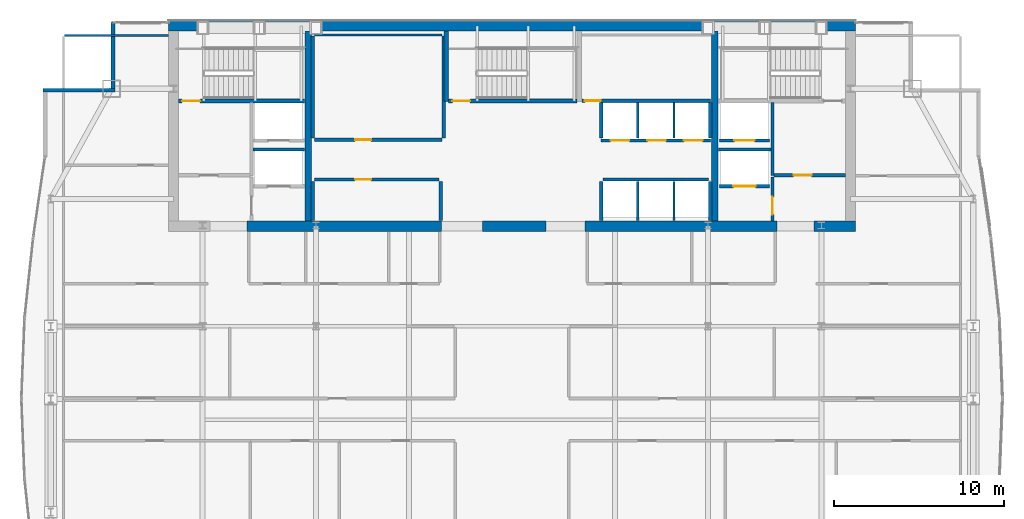
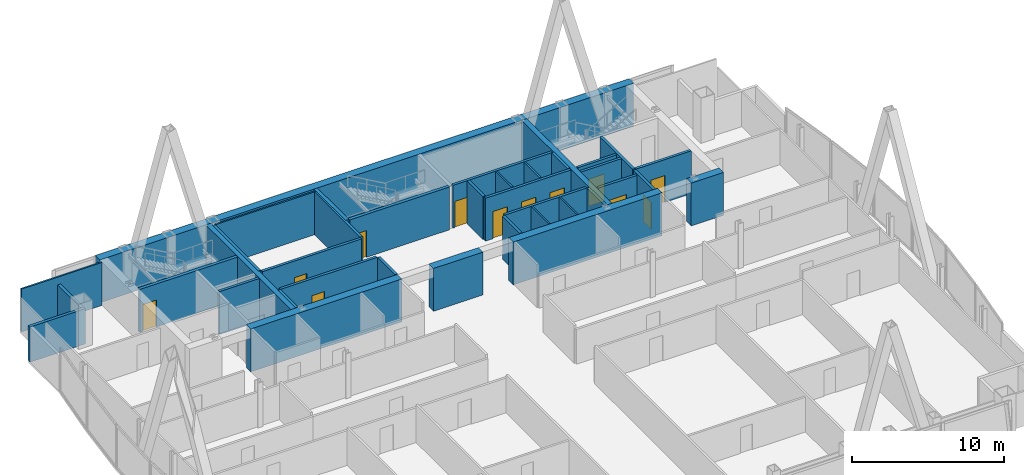
# One storey, part 28 of 31: 38 walls, 12 doors, 12 openings.
"""IFC4 building model written with IfcOpenShell, lengths in metres."""

import ifcopenshell
import ifcopenshell.guid

model = None  # the IFC model being written
_history = None  # IfcOwnerHistory: only IFC2X3 demands one
_inside = {}  # id of a spatial element -> (the spatial element, [elements in it])
_under = {}  # id of a project, library or spatial element -> (it, [spatial elements below it])
_declared = {}  # id of a project -> (the project, [libraries it declares])
_typed = {}  # id of a type object -> (the type object, [elements of that type])
_made_of = {}  # id of a material, layer set ... -> (it, [elements and type objects made of it])


def new_model(schema):
    """Start an empty IFC model of exactly this schema.

    Asked for "IFC4X3", IfcOpenShell would pick the latest addendum, in which some entities
    have other attributes; the version numbers below select the first issue.
    IFC2X3 requires an IfcOwnerHistory on every rooted entity: one is made here for all.
    """
    global model, _history
    if schema == "IFC4X3":
        model = ifcopenshell.file(schema_version=(4, 3, 0, 0))
    else:
        model = ifcopenshell.file(schema=schema)
    _inside.clear()
    _under.clear()
    _declared.clear()
    _typed.clear()
    _made_of.clear()
    _history = None
    if model.schema == "IFC2X3":
        org = make("IfcOrganization", Name="unknown")
        user = make(
            "IfcPersonAndOrganization",
            ThePerson=make("IfcPerson", FamilyName="unknown"),
            TheOrganization=org,
        )
        app = make(
            "IfcApplication",
            ApplicationDeveloper=org,
            Version="unknown",
            ApplicationFullName="unknown",
            ApplicationIdentifier="unknown",
        )
        _history = make(
            "IfcOwnerHistory",
            OwningUser=user,
            OwningApplication=app,
            ChangeAction="ADDED",
            CreationDate=0,
        )
    return model


def make(cls, **values):
    """One entity of the class cls with the attributes given. An attribute that is None is left unset."""
    return model.create_entity(
        cls, **{name: value for name, value in values.items() if value is not None}
    )


def rooted(cls, **values):
    """An entity with a GlobalId (a new one), such as an element, a storey or a relation."""
    return make(cls, GlobalId=ifcopenshell.guid.new(), OwnerHistory=_history, **values)


def si_unit(unit_type, name, prefix=None):
    """IfcSIUnit, for example si_unit("LENGTHUNIT", "METRE", prefix="MILLI")."""
    return make("IfcSIUnit", UnitType=unit_type, Prefix=prefix, Name=name)


def assignment(units):
    """IfcUnitAssignment: the units of a project."""
    return None if units is None else make("IfcUnitAssignment", Units=units)


def point(xyz):
    """IfcCartesianPoint."""
    return None if xyz is None else make("IfcCartesianPoint", Coordinates=xyz)


def direction(xyz):
    """IfcDirection."""
    return None if xyz is None else make("IfcDirection", DirectionRatios=xyz)


def frame(location, z_axis=None, x_axis=None):
    """IfcAxis2Placement3D, a coordinate frame: its origin and axes. An axis left out is left unset."""
    return make(
        "IfcAxis2Placement3D",
        Location=point(location),
        Axis=direction(z_axis),
        RefDirection=direction(x_axis),
    )


def frame_2d(location, x_axis=None):
    """IfcAxis2Placement2D, a coordinate frame in the plane: its origin and x axis."""
    return make(
        "IfcAxis2Placement2D", Location=point(location), RefDirection=direction(x_axis)
    )


def origin():
    """The frame at (0, 0, 0) with its axes left unset."""
    return frame((0.0, 0.0, 0.0))


def place(relative_to, where):
    """IfcLocalPlacement: puts the frame where relative to a parent placement (None: the world)."""
    return make(
        "IfcLocalPlacement", PlacementRelTo=relative_to, RelativePlacement=where
    )


def context(
    kind, dimensions, precision=None, world=None, true_north=None, identifier=None
):
    """IfcGeometricRepresentationContext, for example the 3D "Model" context."""
    return make(
        "IfcGeometricRepresentationContext",
        ContextIdentifier=identifier,
        ContextType=kind,
        CoordinateSpaceDimension=dimensions,
        Precision=precision,
        WorldCoordinateSystem=world,
        TrueNorth=true_north,
    )


def subcontext(parent, identifier, kind, view, scale=None):
    """IfcGeometricRepresentationSubContext, for example "Body" below "Model"."""
    return make(
        "IfcGeometricRepresentationSubContext",
        ContextIdentifier=identifier,
        ContextType=kind,
        ParentContext=parent,
        TargetScale=scale,
        TargetView=view,
    )


def project(units=None, contexts=None):
    """IfcProject with its units and contexts."""
    return rooted(
        "IfcProject",
        Name="project",
        RepresentationContexts=contexts,
        UnitsInContext=assignment(units),
    )


def spatial(cls, under=None, at=None, **own):
    """A site, building, storey or space (cls), placed at a placement, below another one or the project."""
    s = rooted(cls, ObjectPlacement=at, **own)
    if under is not None:
        _under.setdefault(under.id(), (under, []))[1].append(s)
    return s


def profile(cls, at=None, kind="AREA", **sizes):
    """A parametric profile (cls). Its sizes go by their IFC names, for example OverallWidth=200.0."""
    return make(cls, ProfileType=kind, Position=at, **sizes)


def rectangle(**sizes):
    """IfcRectangleProfileDef."""
    return profile("IfcRectangleProfileDef", **sizes)


def extrude(swept, where, along, depth):
    """IfcExtrudedAreaSolid: the profile swept, set in the frame where, extruded along a direction by depth."""
    return make(
        "IfcExtrudedAreaSolid",
        SweptArea=swept,
        Position=where,
        ExtrudedDirection=direction(along),
        Depth=depth,
    )


def shape(context_of_items, identifier, shape_type, items):
    """IfcShapeRepresentation: the items that make up one representation, for example the "Body"."""
    return make(
        "IfcShapeRepresentation",
        ContextOfItems=context_of_items,
        RepresentationIdentifier=identifier,
        RepresentationType=shape_type,
        Items=items,
    )


def material(Name=None, Category=None):
    """IfcMaterial."""
    return make("IfcMaterial", Name=Name, Category=Category)


def layer(
    of_material, thickness, ventilated=None, Name=None, Category=None, Priority=None
):
    """IfcMaterialLayer: one layer of a wall or slab, of a material (None: an air gap)."""
    return make(
        "IfcMaterialLayer",
        Material=of_material,
        LayerThickness=thickness,
        IsVentilated=ventilated,
        Name=Name,
        Category=Category,
        Priority=Priority,
    )


def layer_set(layers, Name=None):
    """IfcMaterialLayerSet."""
    return make("IfcMaterialLayerSet", MaterialLayers=layers, LayerSetName=Name)


def made_of(thing, what):
    """Note that an element or type object is made of a material, layer set ...; save() writes the relation."""
    if what is not None:
        _made_of.setdefault(what.id(), (what, []))[1].append(thing)
    return thing


def type_object(cls, material=None, **own):
    """A type object (cls), such as IfcWallType, which elements share."""
    return made_of(rooted(cls, **own), material)


def element(
    cls,
    number,
    at=None,
    inside=None,
    cuts=None,
    type_object=None,
    material=None,
    context=None,
    identifier="Body",
    shape_type=None,
    held_by="IfcProductDefinitionShape",
    body=None,
    shapes=None,
    **own,
):
    """One element of the class cls, such as IfcWall. Its Tag is "e" and its number.

    at: its placement. inside: the storey or other place that contains it. cuts: it is an
    opening in that element (IfcRelVoidsElement). A single representation is given by context,
    identifier, shape_type and body (its items); several are given by shapes. held_by: the class
    of the entity that holds the representations. save() writes the other relations.
    """
    e = rooted(cls, Tag="e%d" % number, ObjectPlacement=at, **own)
    if body is not None:
        shapes = [shape(context, identifier, shape_type, body)]
    if shapes is not None:
        e.Representation = make(held_by, Representations=shapes)
    if inside is not None:
        _inside.setdefault(inside.id(), (inside, []))[1].append(e)
    if cuts is not None:
        rooted(
            "IfcRelVoidsElement", RelatingBuildingElement=cuts, RelatedOpeningElement=e
        )
    if type_object is not None:
        _typed.setdefault(type_object.id(), (type_object, []))[1].append(e)
    return made_of(e, material)


def fill(opening, filler):
    """IfcRelFillsElement: the door or window that sits in an opening."""
    return rooted(
        "IfcRelFillsElement",
        RelatingOpeningElement=opening,
        RelatedBuildingElement=filler,
    )


def aggregate(whole, parts):
    """IfcRelAggregates: a whole, such as a stair, and the parts it consists of."""
    return rooted("IfcRelAggregates", RelatingObject=whole, RelatedObjects=parts)


def save(model, path):
    """Write the relations noted so far, then the file.

    IfcRelAggregates (storeys below a building ...), IfcRelContainedInSpatialStructure (elements
    in a storey), IfcRelDefinesByType, IfcRelAssociatesMaterial and IfcRelDeclares: one each for
    every whole, place, type object, material and project.
    """
    for whole, parts in _under.values():
        aggregate(whole, parts)
    for where, things in _inside.values():
        rooted(
            "IfcRelContainedInSpatialStructure",
            RelatedElements=things,
            RelatingStructure=where,
        )
    for kind, things in _typed.values():
        rooted("IfcRelDefinesByType", RelatedObjects=things, RelatingType=kind)
    for what, things in _made_of.values():
        rooted("IfcRelAssociatesMaterial", RelatedObjects=things, RelatingMaterial=what)
    for by, libraries in _declared.values():
        rooted("IfcRelDeclares", RelatingContext=by, RelatedDefinitions=libraries)
    model.write(path)


model = new_model("IFC4")

# Units and contexts
model_context = context("Model", 3, precision=1e-05, world=origin(), true_north=direction((0.0, 1.0)))
body_context = subcontext(model_context, "Body", "Model", "MODEL_VIEW")
ifc_project = project(units=[si_unit("LENGTHUNIT", "METRE"), si_unit("AREAUNIT", "SQUARE_METRE"), si_unit("VOLUMEUNIT", "CUBIC_METRE"), si_unit("PLANEANGLEUNIT", "RADIAN"), si_unit("MASSUNIT", "GRAM", prefix="KILO")], contexts=[model_context])

# Site, building, storey
site_placement = place(None, origin())
site = spatial("IfcSite", under=ifc_project, at=site_placement, CompositionType="ELEMENT")
building_placement = place(site_placement, origin())
building = spatial("IfcBuilding", under=site, at=building_placement, Name="Khoronbel Lancet Exchange", CompositionType="ELEMENT")
storey_placement = place(building_placement, frame((0.0, 0.0, 249.800048828125)))
storey = spatial("IfcBuildingStorey", under=building, at=storey_placement, Name="L64", CompositionType="ELEMENT", Elevation=249.800048828125)

# Walls
ifc_material_1 = material(Name="Concrete C60/75", Category="concrete")
ifc_layer_1 = layer(ifc_material_1, 0.60009765625, Name="Concrete C60/75")
ifc_layer_set_1 = layer_set([ifc_layer_1], Name="Concrete C60/75")
wall_type_1 = type_object("IfcWallType", Name="WL-CW3", PredefinedType="SHEAR", material=ifc_layer_set_1)
wall_1_placement = place(storey_placement, frame((16.199951171875, 53.39990234375, 0.0), z_axis=(0.0, 0.0, 1.0), x_axis=(1.0, 0.0, 0.0)))
element("IfcWall", 1, at=wall_1_placement, inside=storey, type_object=wall_type_1, Name="Level L64 rear core north shear wall", PredefinedType="SHEAR", context=body_context, shape_type="SweptSolid", body=[
    extrude(rectangle(XDim=40.5, YDim=0.60009765625, at=frame_2d((20.25, 0.0))), origin(), (0.0, 0.0, 1.0), 3.43994140625),
])
wall_2_placement = place(storey_placement, frame((32.300048828125, 41.60009765625, 0.0), z_axis=(0.0, 0.0, 1.0), x_axis=(-1.0, 0.0, 0.0)))
element("IfcWall", 2, at=wall_2_placement, inside=storey, type_object=wall_type_1, Name="Level L64 rear core south shear wall pier P2", PredefinedType="SHEAR", context=body_context, shape_type="SweptSolid", body=[
    extrude(rectangle(XDim=11.449951171875, YDim=0.60009765625, at=frame_2d((5.72509765625, 0.0))), origin(), (0.0, 0.0, 1.0), 3.43994140625),
])
wall_3_placement = place(storey_placement, frame((38.449951171875, 41.60009765625, 0.0), z_axis=(0.0, 0.0, 1.0), x_axis=(-1.0, 0.0, 0.0)))
element("IfcWall", 3, at=wall_3_placement, inside=storey, type_object=wall_type_1, Name="Level L64 rear core south shear wall pier P3", PredefinedType="SHEAR", context=body_context, shape_type="SweptSolid", body=[
    extrude(rectangle(XDim=3.75, YDim=0.60009765625, at=frame_2d((1.875, 0.0))), origin(), (0.0, 0.0, 1.0), 3.43994140625),
])
wall_4_placement = place(storey_placement, frame((52.050048828125, 41.60009765625, 0.0), z_axis=(0.0, 0.0, 1.0), x_axis=(-1.0, 0.0, 0.0)))
element("IfcWall", 4, at=wall_4_placement, inside=storey, type_object=wall_type_1, Name="Level L64 rear core south shear wall pier P4", PredefinedType="SHEAR", context=body_context, shape_type="SweptSolid", body=[
    extrude(rectangle(XDim=11.300048828125, YDim=0.60009765625, at=frame_2d((5.64990234375, 0.0))), origin(), (0.0, 0.0, 1.0), 3.43994140625),
])
wall_5_placement = place(storey_placement, frame((56.699951171875, 41.60009765625, 0.0), z_axis=(0.0, 0.0, 1.0), x_axis=(-1.0, 0.0, 0.0)))
element("IfcWall", 5, at=wall_5_placement, inside=storey, type_object=wall_type_1, Name="Level L64 rear core south shear wall pier P5", PredefinedType="SHEAR", context=body_context, shape_type="SweptSolid", body=[
    extrude(rectangle(XDim=2.449951171875, YDim=0.60009765625, at=frame_2d((1.22509765625, 0.0))), origin(), (0.0, 0.0, 1.0), 3.43994140625),
])
ifc_material_2 = material(Name="Precast concrete C40/50", Category="concrete")
ifc_layer_2 = layer(ifc_material_2, 0.25, Name="Precast concrete C40/50")
ifc_layer_set_2 = layer_set([ifc_layer_2], Name="Precast concrete C40/50")
wall_type_2 = type_object("IfcWallType", Name="WL-EXT250", PredefinedType="SOLIDWALL", material=ifc_layer_set_2)
wall_6_placement = place(storey_placement, frame((8.830078125, 49.610107421875, 0.0), z_axis=(0.0, 0.0, 1.0), x_axis=(1.0, 0.0, 0.0)))
element("IfcWall", 6, at=wall_6_placement, inside=storey, type_object=wall_type_2, Name="Level L64 notched-corner limestone pier 11", PredefinedType="SOLIDWALL", context=body_context, shape_type="SweptSolid", body=[
    extrude(rectangle(XDim=4.219970703125, YDim=0.219970703125, at=frame_2d((2.10986328125, 0.0))), origin(), (0.0, 0.0, 1.0), 2.829833984375),
])
wall_7_placement = place(storey_placement, frame((12.93994140625, 49.719970703125, 0.0), z_axis=(0.0, 0.0, 1.0), x_axis=(0.0, 1.0, 0.0)))
element("IfcWall", 7, at=wall_7_placement, inside=storey, type_object=wall_type_2, Name="Level L64 notched-corner limestone pier 12", PredefinedType="SOLIDWALL", context=body_context, shape_type="SweptSolid", body=[
    extrude(rectangle(XDim=3.909912109375, YDim=0.219970703125, at=frame_2d((1.955078125, 0.0))), origin(), (0.0, 0.0, 1.0), 2.829833984375),
])
ifc_material_3 = material(Name="Acoustic Metal-Stud & Mineral-Wool Gypsum Partition 120 mm", Category="gypsum")
ifc_layer_3 = layer(ifc_material_3, 0.1201171875, Name="Acoustic Metal-Stud & Mineral-Wool Gypsum Partition 120 mm")
ifc_layer_set_3 = layer_set([ifc_layer_3], Name="Acoustic Metal-Stud & Mineral-Wool Gypsum Partition 120 mm")
wall_type_3 = type_object("IfcWallType", Name="WL-PRT120", PredefinedType="PARTITIONING", material=ifc_layer_set_3)
wall_8_placement = place(storey_placement, frame((10.094970703125, 52.840087890625, 0.0), z_axis=(0.0, 0.0, 1.0), x_axis=(1.0, 0.0, 0.0)))
element("IfcWall", 8, at=wall_8_placement, inside=storey, type_object=wall_type_3, Name="Level L64 interior partition PW-LIN-NW", PredefinedType="PARTITIONING", context=body_context, shape_type="SweptSolid", body=[
    extrude(rectangle(XDim=6.10498046875, YDim=0.1201171875, at=frame_2d((3.052490234375, 0.0))), origin(), (0.0, 0.0, 1.0), 3.43994140625),
])
ifc_material_4 = material(Name="Fire-Rated Metal-Stud & Mineral-Wool Gypsum Partition 120 mm", Category="gypsum")
ifc_layer_4 = layer(ifc_material_4, 0.1201171875, Name="Fire-Rated Metal-Stud & Mineral-Wool Gypsum Partition 120 mm")
ifc_layer_set_4 = layer_set([ifc_layer_4], Name="Fire-Rated Metal-Stud & Mineral-Wool Gypsum Partition 120 mm")
wall_type_4 = type_object("IfcWallType", Name="WL-PRT120F", PredefinedType="PARTITIONING", material=ifc_layer_set_4)
wall_9_placement = place(storey_placement, frame((24.804931640625, 52.860107421875, 0.0), z_axis=(0.0, 0.0, 1.0), x_axis=(1.0, 0.0, 0.0)))
element("IfcWall", 9, at=wall_9_placement, inside=storey, type_object=wall_type_4, Name="Level L64 interior partition CW-PL-RN", PredefinedType="PARTITIONING", context=body_context, shape_type="SweptSolid", body=[
    extrude(rectangle(XDim=7.510009765625, YDim=0.1201171875, at=frame_2d((3.7548828125, 0.0))), origin(), (0.0, 0.0, 1.0), 3.43994140625),
])
for number, where, z_axis, x_axis, name in (
    (10, (43.860107421875, 46.800048828125, 0.0), (0.0, 0.0, 1.0), (0.0, 1.0, 0.0), "Level L64 interior partition CW-PH-D1"),
    (11, (46.0, 46.800048828125, 0.0), (0.0, 0.0, 1.0), (0.0, 1.0, 0.0), "Level L64 interior partition CW-PH-D2"),
):
    element("IfcWall", number, at=place(storey_placement, frame(where, z_axis=z_axis, x_axis=x_axis)), inside=storey, type_object=wall_type_4, Name=name, PredefinedType="PARTITIONING", context=body_context, shape_type="SweptSolid", body=[
        extrude(rectangle(XDim=2.094970703125, YDim=0.1201171875, at=frame_2d((1.04736328125, 0.0))), origin(), (0.0, 0.0, 1.0), 3.43994140625),
    ])
for number, where, z_axis, x_axis, name in (
    (12, (43.860107421875, 41.949951171875, 0.0), (0.0, 0.0, 1.0), (0.0, 1.0, 0.0), "Level L64 interior partition CW-PX-D1"),
    (13, (46.0, 41.949951171875, 0.0), (0.0, 0.0, 1.0), (0.0, 1.0, 0.0), "Level L64 interior partition CW-PX-D2"),
):
    element("IfcWall", number, at=place(storey_placement, frame(where, z_axis=z_axis, x_axis=x_axis)), inside=storey, type_object=wall_type_4, Name=name, PredefinedType="PARTITIONING", context=body_context, shape_type="SweptSolid", body=[
        extrude(rectangle(XDim=2.295166015625, YDim=0.1201171875, at=frame_2d((1.1474609375, 0.0))), origin(), (0.0, 0.0, 1.0), 3.43994140625),
    ])

# Wall, opening, door
ifc_material_5 = material(Name="Autoclaved Aerated Concrete Blockwork 200 mm", Category="masonry")
ifc_layer_5 = layer(ifc_material_5, 0.199951171875, Name="Autoclaved Aerated Concrete Blockwork 200 mm")
ifc_layer_set_5 = layer_set([ifc_layer_5], Name="Autoclaved Aerated Concrete Blockwork 200 mm")
wall_type_5 = type_object("IfcWallType", Name="WL-PRT200", PredefinedType="PARTITIONING", material=ifc_layer_set_5)
wall_10_placement = place(storey_placement, frame((51.610107421875, 43.949951171875, 0.0), z_axis=(0.0, 0.0, 1.0), x_axis=(-1.0, 0.0, 0.0)))
wall_10 = element("IfcWall", 14, at=wall_10_placement, inside=storey, type_object=wall_type_5, Name="Level L64 elevator hoistway landing front wall SVLE", PredefinedType="PARTITIONING", context=body_context, shape_type="SweptSolid", body=[
    extrude(rectangle(XDim=2.920166015625, YDim=0.199951171875, at=frame_2d((1.4599609375, 0.0))), origin(), (0.0, 0.0, 1.0), 3.43994140625),
])
opening_1_placement = place(wall_10_placement, frame((0.81005859375, 0.0, 0.0)))
opening_1 = element("IfcOpeningElement", 15, at=opening_1_placement, cuts=wall_10, Name="Opening LD-SVL2", PredefinedType="OPENING", context=body_context, shape_type="SweptSolid", body=[
    extrude(rectangle(XDim=1.300048828125, YDim=2.179931640625, at=frame_2d((0.64990234375, 1.08984375))), frame((0.0, 0.10986328125, 0.0), z_axis=(0.0, -1.0, 0.0), x_axis=(1.0, 0.0, 0.0)), (0.0, 0.0, 1.0), 0.219970703125),
])
ifc_material_6 = material(Name="Heavy-Duty Bi-Parting Goods Lift Landing Door", Category="steel")
door_type_1 = type_object("IfcDoorType", Name="DR-LD-SVL", OperationType="NOTDEFINED", PredefinedType="DOOR", material=ifc_material_6)
door_1_placement = place(opening_1_placement, origin())
door_1 = element("IfcDoor", 16, at=door_1_placement, inside=storey, type_object=door_type_1, Name="Elevator landing sliding door LD-SVL2 L64", OperationType="SLIDING_TO_LEFT", OverallHeight=2.179931640625, OverallWidth=1.300048828125, PredefinedType="DOOR", context=body_context, shape_type="SweptSolid", body=[
    extrude(rectangle(XDim=1.300048828125, YDim=2.179931640625, at=frame_2d((0.64990234375, 1.08984375))), frame((0.0, 0.02490234375, 0.0), z_axis=(0.0, -1.0, 0.0), x_axis=(1.0, 0.0, 0.0)), (0.0, 0.0, 1.0), 0.050048828125),
])
fill(opening_1, door_1)

wall_11_placement = place(storey_placement, frame((51.610107421875, 46.64990234375, 0.0), z_axis=(0.0, 0.0, 1.0), x_axis=(-1.0, 0.0, 0.0)))
wall_11 = element("IfcWall", 17, at=wall_11_placement, inside=storey, type_object=wall_type_5, Name="Level L64 elevator hoistway landing front wall FFLE", PredefinedType="PARTITIONING", context=body_context, shape_type="SweptSolid", body=[
    extrude(rectangle(XDim=2.920166015625, YDim=0.199951171875, at=frame_2d((1.4599609375, 0.0))), origin(), (0.0, 0.0, 1.0), 3.43994140625),
])
opening_2_placement = place(wall_11_placement, frame((0.860107421875, 0.0, 0.0)))
opening_2 = element("IfcOpeningElement", 18, at=opening_2_placement, cuts=wall_11, Name="Opening LD-FFL2", PredefinedType="OPENING", context=body_context, shape_type="SweptSolid", body=[
    extrude(rectangle(XDim=1.199951171875, YDim=2.179931640625, at=frame_2d((0.60009765625, 1.08984375))), frame((0.0, 0.10986328125, 0.0), z_axis=(0.0, -1.0, 0.0), x_axis=(1.0, 0.0, 0.0)), (0.0, 0.0, 1.0), 0.219970703125),
])
ifc_material_7 = material(Name="Fire-Rated Stainless Bi-Parting Firefighting Lift Door", Category="steel")
door_type_2 = type_object("IfcDoorType", Name="DR-LD-FFL", OperationType="NOTDEFINED", PredefinedType="DOOR", material=ifc_material_7)
door_2_placement = place(opening_2_placement, origin())
door_2 = element("IfcDoor", 19, at=door_2_placement, inside=storey, type_object=door_type_2, Name="Elevator landing sliding door LD-FFL2 L64", OperationType="SLIDING_TO_LEFT", OverallHeight=2.179931640625, OverallWidth=1.199951171875, PredefinedType="DOOR", context=body_context, shape_type="SweptSolid", body=[
    extrude(rectangle(XDim=1.199951171875, YDim=2.179931640625, at=frame_2d((0.60009765625, 1.08984375))), frame((0.0, 0.02490234375, 0.0), z_axis=(0.0, -1.0, 0.0), x_axis=(1.0, 0.0, 0.0)), (0.0, 0.0, 1.0), 0.050048828125),
])
fill(opening_2, door_2)

# Wall, openings, doors
wall_12_placement = place(storey_placement, frame((48.159912109375, 46.64990234375, 0.0), z_axis=(0.0, 0.0, 1.0), x_axis=(-1.0, 0.0, 0.0)))
wall_12 = element("IfcWall", 20, at=wall_12_placement, inside=storey, type_object=wall_type_5, Name="Level L64 elevator hoistway landing front wall PHE", PredefinedType="PARTITIONING", context=body_context, shape_type="SweptSolid", body=[
    extrude(rectangle(XDim=6.47998046875, YDim=0.199951171875, at=frame_2d((3.239990234375, 0.0))), origin(), (0.0, 0.0, 1.0), 3.43994140625),
])
opening_3_placement = place(wall_12_placement, frame((4.800048828125, 0.0, 0.0)))
opening_3 = element("IfcOpeningElement", 21, at=opening_3_placement, cuts=wall_12, Name="Opening LD-PH1", PredefinedType="OPENING", context=body_context, shape_type="SweptSolid", body=[
    extrude(rectangle(XDim=1.10009765625, YDim=2.179931640625, at=frame_2d((0.550048828125, 1.08984375))), frame((0.0, 0.10986328125, 0.0), z_axis=(0.0, -1.0, 0.0), x_axis=(1.0, 0.0, 0.0)), (0.0, 0.0, 1.0), 0.219970703125),
])
opening_4_placement = place(wall_12_placement, frame((2.639892578125, 0.0, 0.0)))
opening_4 = element("IfcOpeningElement", 22, at=opening_4_placement, cuts=wall_12, Name="Opening LD-PH2", PredefinedType="OPENING", context=body_context, shape_type="SweptSolid", body=[
    extrude(rectangle(XDim=1.10009765625, YDim=2.179931640625, at=frame_2d((0.550048828125, 1.08984375))), frame((0.0, 0.10986328125, 0.0), z_axis=(0.0, -1.0, 0.0), x_axis=(1.0, 0.0, 0.0)), (0.0, 0.0, 1.0), 0.219970703125),
])
opening_5_placement = place(wall_12_placement, frame((0.47998046875, 0.0, 0.0)))
opening_5 = element("IfcOpeningElement", 23, at=opening_5_placement, cuts=wall_12, Name="Opening LD-PH3", PredefinedType="OPENING", context=body_context, shape_type="SweptSolid", body=[
    extrude(rectangle(XDim=1.10009765625, YDim=2.179931640625, at=frame_2d((0.550048828125, 1.08984375))), frame((0.0, 0.10986328125, 0.0), z_axis=(0.0, -1.0, 0.0), x_axis=(1.0, 0.0, 0.0)), (0.0, 0.0, 1.0), 0.219970703125),
])
ifc_material_8 = material(Name="Brushed Bronze Bi-Parting Elevator Landing Door", Category="steel")
door_type_3 = type_object("IfcDoorType", Name="DR-LD-PAX", OperationType="NOTDEFINED", PredefinedType="DOOR", material=ifc_material_8)
door_3_placement = place(opening_3_placement, origin())
door_3 = element("IfcDoor", 24, at=door_3_placement, inside=storey, type_object=door_type_3, Name="Elevator landing sliding door LD-PH1 L64", OperationType="SLIDING_TO_LEFT", OverallHeight=2.179931640625, OverallWidth=1.10009765625, PredefinedType="DOOR", context=body_context, shape_type="SweptSolid", body=[
    extrude(rectangle(XDim=1.10009765625, YDim=2.179931640625, at=frame_2d((0.550048828125, 1.08984375))), frame((0.0, 0.02490234375, 0.0), z_axis=(0.0, -1.0, 0.0), x_axis=(1.0, 0.0, 0.0)), (0.0, 0.0, 1.0), 0.050048828125),
])
fill(opening_3, door_3)
door_4_placement = place(opening_4_placement, origin())
door_4 = element("IfcDoor", 25, at=door_4_placement, inside=storey, type_object=door_type_3, Name="Elevator landing sliding door LD-PH2 L64", OperationType="SLIDING_TO_LEFT", OverallHeight=2.179931640625, OverallWidth=1.10009765625, PredefinedType="DOOR", context=body_context, shape_type="SweptSolid", body=[
    extrude(rectangle(XDim=1.10009765625, YDim=2.179931640625, at=frame_2d((0.550048828125, 1.08984375))), frame((0.0, 0.02490234375, 0.0), z_axis=(0.0, -1.0, 0.0), x_axis=(1.0, 0.0, 0.0)), (0.0, 0.0, 1.0), 0.050048828125),
])
fill(opening_4, door_4)
door_5_placement = place(opening_5_placement, origin())
door_5 = element("IfcDoor", 26, at=door_5_placement, inside=storey, type_object=door_type_3, Name="Elevator landing sliding door LD-PH3 L64", OperationType="SLIDING_TO_LEFT", OverallHeight=2.179931640625, OverallWidth=1.10009765625, PredefinedType="DOOR", context=body_context, shape_type="SweptSolid", body=[
    extrude(rectangle(XDim=1.10009765625, YDim=2.179931640625, at=frame_2d((0.550048828125, 1.08984375))), frame((0.0, 0.02490234375, 0.0), z_axis=(0.0, -1.0, 0.0), x_axis=(1.0, 0.0, 0.0)), (0.0, 0.0, 1.0), 0.050048828125),
])
fill(opening_5, door_5)

# Walls
wall_13_placement = place(storey_placement, frame((21.199951171875, 46.1201171875, 0.0), z_axis=(0.0, 0.0, 1.0), x_axis=(1.0, 0.0, 0.0)))
element("IfcWall", 27, at=wall_13_placement, inside=storey, type_object=wall_type_5, Name="Level L64 interior partition CW-FFL1-S", PredefinedType="PARTITIONING", context=body_context, shape_type="SweptSolid", body=[
    extrude(rectangle(XDim=3.02001953125, YDim=0.199951171875, at=frame_2d((1.510009765625, 0.0))), origin(), (0.0, 0.0, 1.0), 3.43994140625),
])
wall_14_placement = place(storey_placement, frame((51.800048828125, 44.60009765625, 0.0), z_axis=(0.0, 0.0, 1.0), x_axis=(0.0, 1.0, 0.0)))
element("IfcWall", 28, at=wall_14_placement, inside=storey, type_object=wall_type_5, Name="Level L64 interior partition CW-FFLE-W", PredefinedType="PARTITIONING", context=body_context, shape_type="SweptSolid", body=[
    extrude(rectangle(XDim=4.2998046875, YDim=0.199951171875, at=frame_2d((2.14990234375, 0.0))), origin(), (0.0, 0.0, 1.0), 3.43994140625),
])

# Wall, opening, door
wall_15_placement = place(storey_placement, frame((51.89990234375, 44.60009765625, 0.0), z_axis=(0.0, 0.0, 1.0), x_axis=(1.0, 0.0, 0.0)))
wall_15 = element("IfcWall", 29, at=wall_15_placement, inside=storey, type_object=wall_type_5, Name="Level L64 interior partition CW-FFLE-S", PredefinedType="PARTITIONING", context=body_context, shape_type="SweptSolid", body=[
    extrude(rectangle(XDim=4.2001953125, YDim=0.199951171875, at=frame_2d((2.10009765625, 0.0))), origin(), (0.0, 0.0, 1.0), 3.43994140625),
])
opening_6_placement = place(wall_15_placement, frame((1.14990234375, 0.0, 0.0)))
opening_6 = element("IfcOpeningElement", 30, at=opening_6_placement, cuts=wall_15, Name="Opening FD1", PredefinedType="OPENING", context=body_context, shape_type="SweptSolid", body=[
    extrude(rectangle(XDim=1.050048828125, YDim=2.14990234375, at=frame_2d((0.52490234375, 1.074951171875))), frame((0.0, 0.10986328125, 0.0), z_axis=(0.0, -1.0, 0.0), x_axis=(1.0, 0.0, 0.0)), (0.0, 0.0, 1.0), 0.219970703125),
])
ifc_material_9 = material(Name="Fire-Rated Painted Steel Door Assembly", Category="steel")
door_type_4 = type_object("IfcDoorType", Name="DR-FD1", OperationType="NOTDEFINED", PredefinedType="DOOR", material=ifc_material_9)
door_6_placement = place(opening_6_placement, origin())
door_6 = element("IfcDoor", 31, at=door_6_placement, inside=storey, type_object=door_type_4, Name="East firefighting lobby FD90S door L64-1", OperationType="SINGLE_SWING_LEFT", OverallHeight=2.14990234375, OverallWidth=1.050048828125, PredefinedType="DOOR", context=body_context, shape_type="SweptSolid", body=[
    extrude(rectangle(XDim=1.050048828125, YDim=2.14990234375, at=frame_2d((0.52490234375, 1.074951171875))), frame((0.0, 0.02490234375, 0.0), z_axis=(0.0, -1.0, 0.0), x_axis=(1.0, 0.0, 0.0)), (0.0, 0.0, 1.0), 0.050048828125),
])
fill(opening_6, door_6)

# Wall
wall_16_placement = place(storey_placement, frame((48.6298828125, 46.1201171875, 0.0), z_axis=(0.0, 0.0, 1.0), x_axis=(1.0, 0.0, 0.0)))
element("IfcWall", 32, at=wall_16_placement, inside=storey, type_object=wall_type_5, Name="Level L64 interior partition CW-FFL2-S", PredefinedType="PARTITIONING", context=body_context, shape_type="SweptSolid", body=[
    extrude(rectangle(XDim=3.070068359375, YDim=0.199951171875, at=frame_2d((1.53515625, 0.0))), origin(), (0.0, 0.0, 1.0), 3.43994140625),
])

# Wall, opening, door
wall_17_placement = place(storey_placement, frame((51.800048828125, 41.89990234375, 0.0), z_axis=(0.0, 0.0, 1.0), x_axis=(0.0, 1.0, 0.0)))
wall_17 = element("IfcWall", 33, at=wall_17_placement, inside=storey, type_object=wall_type_5, Name="Level L64 interior partition CW-SVLE-E", PredefinedType="PARTITIONING", context=body_context, shape_type="SweptSolid", body=[
    extrude(rectangle(XDim=2.59521484375, YDim=0.199951171875, at=frame_2d((1.297607421875, 0.0))), origin(), (0.0, 0.0, 1.0), 3.43994140625),
])
opening_7_placement = place(wall_17_placement, frame((0.3798828125, 0.0, 0.0)))
opening_7 = element("IfcOpeningElement", 34, at=opening_7_placement, cuts=wall_17, Name="Opening FD1", PredefinedType="OPENING", context=body_context, shape_type="SweptSolid", body=[
    extrude(rectangle(XDim=1.050048828125, YDim=2.14990234375, at=frame_2d((0.52490234375, 1.074951171875))), frame((0.0, 0.10986328125, 0.0), z_axis=(0.0, -1.0, 0.0), x_axis=(1.0, 0.0, 0.0)), (0.0, 0.0, 1.0), 0.219970703125),
])
door_7_placement = place(opening_7_placement, origin())
door_7 = element("IfcDoor", 35, at=door_7_placement, inside=storey, type_object=door_type_4, Name="East service lift lobby door L64-1", OperationType="SINGLE_SWING_RIGHT", OverallHeight=2.14990234375, OverallWidth=1.050048828125, PredefinedType="DOOR", context=body_context, shape_type="SweptSolid", body=[
    extrude(rectangle(XDim=1.050048828125, YDim=2.14990234375, at=frame_2d((0.52490234375, 1.074951171875))), frame((0.0, 0.02490234375, 0.0), z_axis=(0.0, -1.0, 0.0), x_axis=(1.0, 0.0, 0.0)), (0.0, 0.0, 1.0), 0.050048828125),
])
fill(opening_7, door_7)

# Walls
for number, where, z_axis, x_axis, name in (
    (36, (24.699951171875, 46.804931640625, 0.0), (0.0, 0.0, 1.0), (0.0, 1.0, 0.0), "Level L64 interior partition CW-PL-RW"),
    (37, (32.419921875, 46.804931640625, 0.0), (0.0, 0.0, 1.0), (0.0, 1.0, 0.0), "Level L64 interior partition CW-PL-RE"),
):
    element("IfcWall", number, at=place(storey_placement, frame(where, z_axis=z_axis, x_axis=x_axis)), inside=storey, type_object=wall_type_5, Name=name, PredefinedType="PARTITIONING", context=body_context, shape_type="SweptSolid", body=[
        extrude(rectangle(XDim=5.989990234375, YDim=0.199951171875, at=frame_2d((2.9951171875, 0.0))), origin(), (0.0, 0.0, 1.0), 3.43994140625),
    ])

# Wall, opening, door
wall_18_placement = place(storey_placement, frame((24.804931640625, 46.699951171875, 0.0), z_axis=(0.0, 0.0, 1.0), x_axis=(1.0, 0.0, 0.0)))
wall_18 = element("IfcWall", 38, at=wall_18_placement, inside=storey, type_object=wall_type_5, Name="Level L64 interior partition CW-PL-RF", PredefinedType="PARTITIONING", context=body_context, shape_type="SweptSolid", body=[
    extrude(rectangle(XDim=7.510009765625, YDim=0.199951171875, at=frame_2d((3.7548828125, 0.0))), origin(), (0.0, 0.0, 1.0), 3.43994140625),
])
opening_8_placement = place(wall_18_placement, frame((2.39990234375, 0.0, 0.0)))
opening_8 = element("IfcOpeningElement", 39, at=opening_8_placement, cuts=wall_18, Name="Opening FD3", PredefinedType="OPENING", context=body_context, shape_type="SweptSolid", body=[
    extrude(rectangle(XDim=0.949951171875, YDim=2.10009765625, at=frame_2d((0.47509765625, 1.050048828125))), frame((0.0, 0.10986328125, 0.0), z_axis=(0.0, -1.0, 0.0), x_axis=(1.0, 0.0, 0.0)), (0.0, 0.0, 1.0), 0.219970703125),
])
ifc_material_10 = material(Name="Fire-Rated Steel Plant & Riser Door Assembly", Category="steel")
door_type_5 = type_object("IfcDoorType", Name="DR-FD3", OperationType="NOTDEFINED", PredefinedType="DOOR", material=ifc_material_10)
door_8_placement = place(opening_8_placement, origin())
door_8 = element("IfcDoor", 40, at=door_8_placement, inside=storey, type_object=door_type_5, Name="Reclaimed PL room door L64-1", OperationType="SINGLE_SWING_LEFT", OverallHeight=2.10009765625, OverallWidth=0.949951171875, PredefinedType="DOOR", context=body_context, shape_type="SweptSolid", body=[
    extrude(rectangle(XDim=0.949951171875, YDim=2.10009765625, at=frame_2d((0.47509765625, 1.050048828125))), frame((0.0, 0.02490234375, 0.0), z_axis=(0.0, -1.0, 0.0), x_axis=(1.0, 0.0, 0.0)), (0.0, 0.0, 1.0), 0.050048828125),
])
fill(opening_8, door_8)

# Walls
for number, where, z_axis, x_axis, name in (
    (41, (24.699951171875, 41.949951171875, 0.0), (0.0, 0.0, 1.0), (0.0, 1.0, 0.0), "Level L64 interior partition CW-PM-RW"),
    (42, (32.25, 41.949951171875, 0.0), (0.0, 0.0, 1.0), (0.0, 1.0, 0.0), "Level L64 interior partition CW-PM-RE"),
):
    element("IfcWall", number, at=place(storey_placement, frame(where, z_axis=z_axis, x_axis=x_axis)), inside=storey, type_object=wall_type_5, Name=name, PredefinedType="PARTITIONING", context=body_context, shape_type="SweptSolid", body=[
        extrude(rectangle(XDim=2.295166015625, YDim=0.199951171875, at=frame_2d((1.1474609375, 0.0))), origin(), (0.0, 0.0, 1.0), 3.43994140625),
    ])

# Wall, opening, door
wall_19_placement = place(storey_placement, frame((24.804931640625, 44.35009765625, 0.0), z_axis=(0.0, 0.0, 1.0), x_axis=(1.0, 0.0, 0.0)))
wall_19 = element("IfcWall", 43, at=wall_19_placement, inside=storey, type_object=wall_type_5, Name="Level L64 interior partition CW-PM-RF", PredefinedType="PARTITIONING", context=body_context, shape_type="SweptSolid", body=[
    extrude(rectangle(XDim=7.340087890625, YDim=0.199951171875, at=frame_2d((3.669921875, 0.0))), origin(), (0.0, 0.0, 1.0), 3.43994140625),
])
opening_9_placement = place(wall_19_placement, frame((2.39990234375, 0.0, 0.0)))
opening_9 = element("IfcOpeningElement", 44, at=opening_9_placement, cuts=wall_19, Name="Opening FD3", PredefinedType="OPENING", context=body_context, shape_type="SweptSolid", body=[
    extrude(rectangle(XDim=0.949951171875, YDim=2.10009765625, at=frame_2d((0.47509765625, 1.050048828125))), frame((0.0, 0.10986328125, 0.0), z_axis=(0.0, -1.0, 0.0), x_axis=(1.0, 0.0, 0.0)), (0.0, 0.0, 1.0), 0.219970703125),
])
door_9_placement = place(opening_9_placement, origin())
door_9 = element("IfcDoor", 45, at=door_9_placement, inside=storey, type_object=door_type_5, Name="Reclaimed PM room door L64-1", OperationType="SINGLE_SWING_RIGHT", OverallHeight=2.10009765625, OverallWidth=0.949951171875, PredefinedType="DOOR", context=body_context, shape_type="SweptSolid", body=[
    extrude(rectangle(XDim=0.949951171875, YDim=2.10009765625, at=frame_2d((0.47509765625, 1.050048828125))), frame((0.0, 0.02490234375, 0.0), z_axis=(0.0, -1.0, 0.0), x_axis=(1.0, 0.0, 0.0)), (0.0, 0.0, 1.0), 0.050048828125),
])
fill(opening_9, door_9)

# Walls
for number, where, z_axis, x_axis, name in (
    (46, (41.719970703125, 46.800048828125, 0.0), (0.0, 0.0, 1.0), (0.0, 1.0, 0.0), "Level L64 interior partition CW-PH-W"),
    (47, (48.139892578125, 46.800048828125, 0.0), (0.0, 0.0, 1.0), (0.0, 1.0, 0.0), "Level L64 interior partition CW-PH-E"),
):
    element("IfcWall", number, at=place(storey_placement, frame(where, z_axis=z_axis, x_axis=x_axis)), inside=storey, type_object=wall_type_5, Name=name, PredefinedType="PARTITIONING", context=body_context, shape_type="SweptSolid", body=[
        extrude(rectangle(XDim=2.094970703125, YDim=0.199951171875, at=frame_2d((1.04736328125, 0.0))), origin(), (0.0, 0.0, 1.0), 3.43994140625),
    ])
wall_20_placement = place(storey_placement, frame((41.824951171875, 44.35009765625, 0.0), z_axis=(0.0, 0.0, 1.0), x_axis=(1.0, 0.0, 0.0)))
element("IfcWall", 48, at=wall_20_placement, inside=storey, type_object=wall_type_5, Name="Level L64 interior partition CW-PX-EXP", PredefinedType="PARTITIONING", context=body_context, shape_type="SweptSolid", body=[
    extrude(rectangle(XDim=6.2099609375, YDim=0.199951171875, at=frame_2d((3.10498046875, 0.0))), origin(), (0.0, 0.0, 1.0), 3.43994140625),
])
for number, where, z_axis, x_axis, name in (
    (49, (41.719970703125, 41.949951171875, 0.0), (0.0, 0.0, 1.0), (0.0, 1.0, 0.0), "Level L64 interior partition CW-PX-W"),
    (50, (48.139892578125, 41.949951171875, 0.0), (0.0, 0.0, 1.0), (0.0, 1.0, 0.0), "Level L64 interior partition CW-PX-E"),
):
    element("IfcWall", number, at=place(storey_placement, frame(where, z_axis=z_axis, x_axis=x_axis)), inside=storey, type_object=wall_type_5, Name=name, PredefinedType="PARTITIONING", context=body_context, shape_type="SweptSolid", body=[
        extrude(rectangle(XDim=2.295166015625, YDim=0.199951171875, at=frame_2d((1.1474609375, 0.0))), origin(), (0.0, 0.0, 1.0), 3.43994140625),
    ])

# Wall, opening, door
wall_21_placement = place(storey_placement, frame((40.580078125, 49.0, 0.0), z_axis=(0.0, 0.0, 1.0), x_axis=(1.0, 0.0, 0.0)))
wall_21 = element("IfcWall", 51, at=wall_21_placement, inside=storey, type_object=wall_type_5, Name="Level L64 interior partition CW-SUP-NE-S", PredefinedType="PARTITIONING", context=body_context, shape_type="SweptSolid", body=[
    extrude(rectangle(XDim=7.559814453125, YDim=0.199951171875, at=frame_2d((3.77978515625, 0.0))), origin(), (0.0, 0.0, 1.0), 3.43994140625),
])
opening_10_placement = place(wall_21_placement, frame((0.159912109375, 0.0, 0.0)))
opening_10 = element("IfcOpeningElement", 52, at=opening_10_placement, cuts=wall_21, Name="Opening FD3", PredefinedType="OPENING", context=body_context, shape_type="SweptSolid", body=[
    extrude(rectangle(XDim=0.949951171875, YDim=2.10009765625, at=frame_2d((0.47509765625, 1.050048828125))), frame((0.0, 0.10986328125, 0.0), z_axis=(0.0, -1.0, 0.0), x_axis=(1.0, 0.0, 0.0)), (0.0, 0.0, 1.0), 0.219970703125),
])
door_10_placement = place(opening_10_placement, origin())
door_10 = element("IfcDoor", 53, at=door_10_placement, inside=storey, type_object=door_type_5, Name="Core NE support room door L64-1", OperationType="SINGLE_SWING_LEFT", OverallHeight=2.10009765625, OverallWidth=0.949951171875, PredefinedType="DOOR", context=body_context, shape_type="SweptSolid", body=[
    extrude(rectangle(XDim=0.949951171875, YDim=2.10009765625, at=frame_2d((0.47509765625, 1.050048828125))), frame((0.0, 0.02490234375, 0.0), z_axis=(0.0, -1.0, 0.0), x_axis=(1.0, 0.0, 0.0)), (0.0, 0.0, 1.0), 0.050048828125),
])
fill(opening_10, door_10)

# Walls
ifc_layer_6 = layer(ifc_material_1, 0.39990234375, Name="Concrete C60/75")
ifc_layer_set_6 = layer_set([ifc_layer_6], Name="Concrete C60/75")
wall_type_6 = type_object("IfcWallType", Name="WL-SW2", PredefinedType="SHEAR", material=ifc_layer_set_6)
for number, where, z_axis, x_axis, name in (
    (54, (24.449951171875, 41.89990234375, 0.0), (0.0, 0.0, 1.0), (0.0, 1.0, 0.0), "Level L64 rear core internal spine shear wall IW"),
    (55, (48.39990234375, 41.89990234375, 0.0), (0.0, 0.0, 1.0), (0.0, 1.0, 0.0), "Level L64 rear core internal spine shear wall IE"),
):
    element("IfcWall", number, at=place(storey_placement, frame(where, z_axis=z_axis, x_axis=x_axis)), inside=storey, type_object=wall_type_6, Name=name, PredefinedType="SHEAR", context=body_context, shape_type="SweptSolid", body=[
        extrude(rectangle(XDim=11.2001953125, YDim=0.39990234375, at=frame_2d((5.60009765625, 0.0))), origin(), (0.0, 0.0, 1.0), 3.43994140625),
    ])
ifc_layer_7 = layer(ifc_material_1, 0.260009765625, Name="Concrete C60/75")
ifc_layer_set_7 = layer_set([ifc_layer_7], Name="Concrete C60/75")
wall_type_7 = type_object("IfcWallType", Name="WL-SW3", PredefinedType="SHEAR", material=ifc_layer_set_7)
wall_22_placement = place(storey_placement, frame((32.580078125, 48.949951171875, 0.0), z_axis=(0.0, 0.0, 1.0), x_axis=(0.0, 1.0, 0.0)))
element("IfcWall", 56, at=wall_22_placement, inside=storey, type_object=wall_type_7, Name="Level L64 central stairwell structural shear wall ST3W", PredefinedType="SHEAR", context=body_context, shape_type="SweptSolid", body=[
    extrude(rectangle(XDim=4.150146484375, YDim=0.260009765625, at=frame_2d((2.0751953125, 0.0))), origin(), (0.0, 0.0, 1.0), 3.43994140625),
])

# Wall, opening, door
wall_23_placement = place(storey_placement, frame((16.800048828125, 48.97998046875, 0.0), z_axis=(0.0, 0.0, 1.0), x_axis=(1.0, 0.0, 0.0)))
wall_23 = element("IfcWall", 57, at=wall_23_placement, inside=storey, type_object=wall_type_7, Name="Level L64 west stairwell structural south wall", PredefinedType="SHEAR", context=body_context, shape_type="SweptSolid", body=[
    extrude(rectangle(XDim=7.419921875, YDim=0.239990234375, at=frame_2d((3.7099609375, 0.0))), origin(), (0.0, 0.0, 1.0), 3.43994140625),
])
opening_11_placement = place(wall_23_placement, frame((0.219970703125, 0.0, 0.0)))
opening_11 = element("IfcOpeningElement", 58, at=opening_11_placement, cuts=wall_23, Name="Opening SD1", PredefinedType="OPENING", context=body_context, shape_type="SweptSolid", body=[
    extrude(rectangle(XDim=1.050048828125, YDim=2.14990234375, at=frame_2d((0.52490234375, 1.074951171875))), frame((0.0, 0.1298828125, 0.0), z_axis=(0.0, -1.0, 0.0), x_axis=(1.0, 0.0, 0.0)), (0.0, 0.0, 1.0), 0.260009765625),
])
ifc_material_11 = material(Name="Fire-Rated Steel Stairwell Door Assembly", Category="steel")
door_type_6 = type_object("IfcDoorType", Name="DR-SD1", OperationType="NOTDEFINED", PredefinedType="DOOR", material=ifc_material_11)
door_11_placement = place(opening_11_placement, origin())
door_11 = element("IfcDoor", 59, at=door_11_placement, inside=storey, type_object=door_type_6, Name="Protected exit stair ST1 door L64", OperationType="SINGLE_SWING_LEFT", OverallHeight=2.14990234375, OverallWidth=1.050048828125, PredefinedType="DOOR", context=body_context, shape_type="SweptSolid", body=[
    extrude(rectangle(XDim=1.050048828125, YDim=2.14990234375, at=frame_2d((0.52490234375, 1.074951171875))), frame((0.0, 0.02490234375, 0.0), z_axis=(0.0, -1.0, 0.0), x_axis=(1.0, 0.0, 0.0)), (0.0, 0.0, 1.0), 0.050048828125),
])
fill(opening_11, door_11)

wall_24_placement = place(storey_placement, frame((32.719970703125, 48.97998046875, 0.0), z_axis=(0.0, 0.0, 1.0), x_axis=(1.0, 0.0, 0.0)))
wall_24 = element("IfcWall", 60, at=wall_24_placement, inside=storey, type_object=wall_type_7, Name="Level L64 central stairwell structural south wall", PredefinedType="SHEAR", context=body_context, shape_type="SweptSolid", body=[
    extrude(rectangle(XDim=7.56005859375, YDim=0.239990234375, at=frame_2d((3.780029296875, 0.0))), origin(), (0.0, 0.0, 1.0), 3.43994140625),
])
opening_12_placement = place(wall_24_placement, frame((0.219970703125, 0.0, 0.0)))
opening_12 = element("IfcOpeningElement", 61, at=opening_12_placement, cuts=wall_24, Name="Opening SD1", PredefinedType="OPENING", context=body_context, shape_type="SweptSolid", body=[
    extrude(rectangle(XDim=1.050048828125, YDim=2.14990234375, at=frame_2d((0.52490234375, 1.074951171875))), frame((0.0, 0.1298828125, 0.0), z_axis=(0.0, -1.0, 0.0), x_axis=(1.0, 0.0, 0.0)), (0.0, 0.0, 1.0), 0.260009765625),
])
door_12_placement = place(opening_12_placement, origin())
door_12 = element("IfcDoor", 62, at=door_12_placement, inside=storey, type_object=door_type_6, Name="Protected exit stair ST3 door L64", OperationType="SINGLE_SWING_LEFT", OverallHeight=2.14990234375, OverallWidth=1.050048828125, PredefinedType="DOOR", context=body_context, shape_type="SweptSolid", body=[
    extrude(rectangle(XDim=1.050048828125, YDim=2.14990234375, at=frame_2d((0.52490234375, 1.074951171875))), frame((0.0, 0.02490234375, 0.0), z_axis=(0.0, -1.0, 0.0), x_axis=(1.0, 0.0, 0.0)), (0.0, 0.0, 1.0), 0.050048828125),
])
fill(opening_12, door_12)

save(model, "model.ifc")
